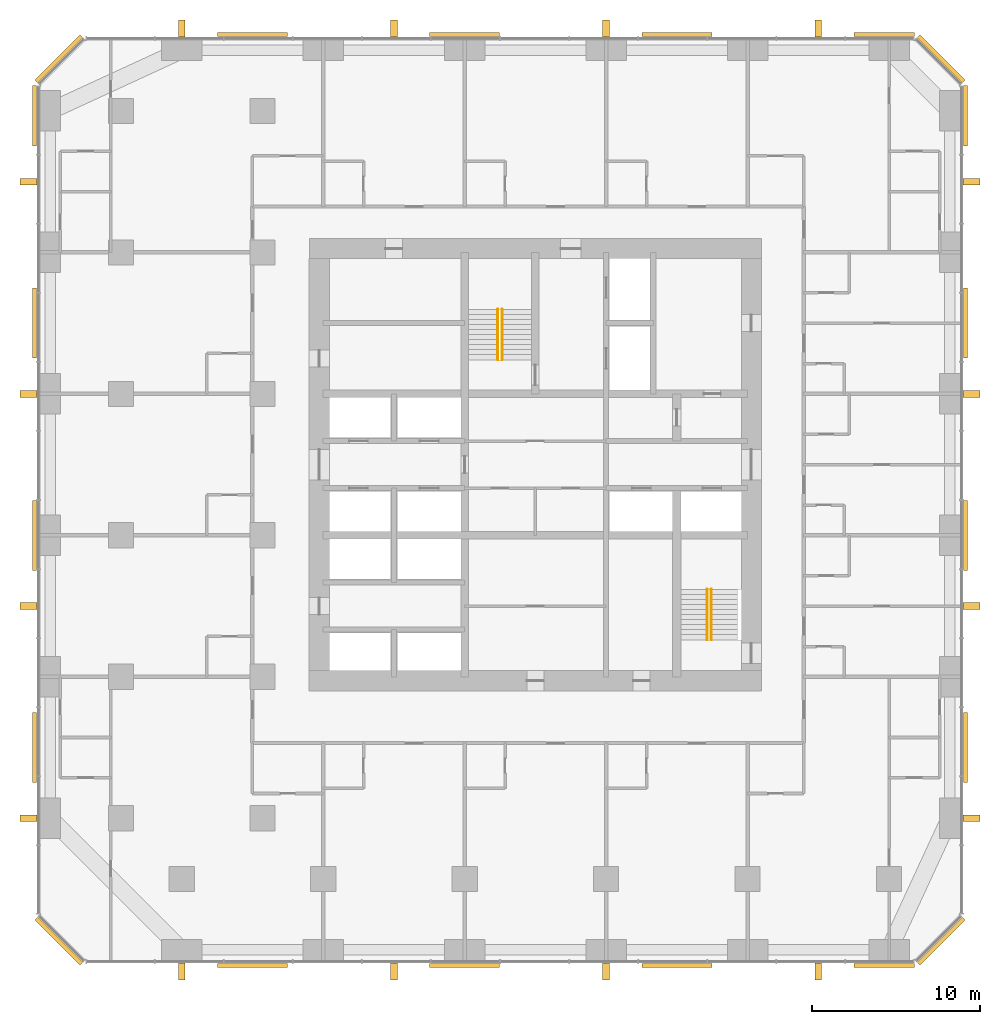
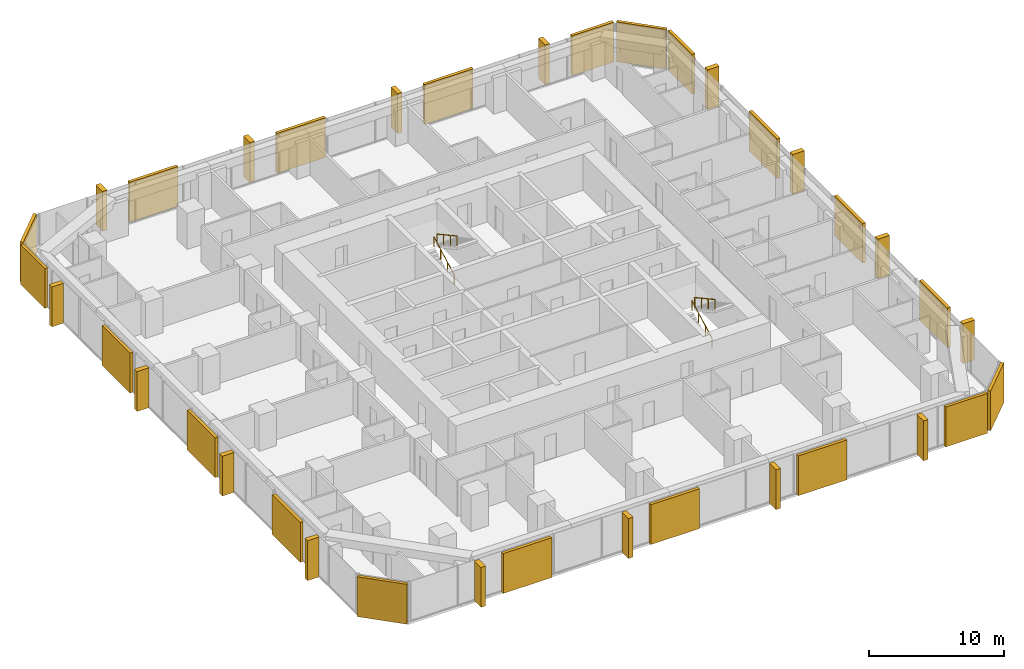
# One storey, part 13 of 13: 20 coverings, 16 shading devices, 4 railings.
"""IFC4 building model written with IfcOpenShell, lengths in metres."""

from ifc_helpers import new_model, si_unit, direction, frame, origin, origin_2d, place, context, subcontext, project, spatial, rectangle, circle, extrude, material, layer, layer_set, type_object, element, save


model = new_model("IFC4")

# Units and contexts
model_context = context("Model", 3, precision=1e-05, world=origin(), true_north=direction((0.0, 1.0)))
body_context = subcontext(model_context, "Body", "Model", "MODEL_VIEW")
ifc_project = project(units=[si_unit("LENGTHUNIT", "METRE"), si_unit("AREAUNIT", "SQUARE_METRE"), si_unit("VOLUMEUNIT", "CUBIC_METRE"), si_unit("PLANEANGLEUNIT", "RADIAN"), si_unit("MASSUNIT", "GRAM", prefix="KILO")], contexts=[model_context])

# Site, building, storey
site_placement = place(None, origin())
site = spatial("IfcSite", under=ifc_project, at=site_placement, CompositionType="ELEMENT")
building_placement = place(site_placement, origin())
building = spatial("IfcBuilding", under=site, at=building_placement, Name="Dunama Terrace Hotel", CompositionType="ELEMENT")
storey_placement = place(building_placement, frame((0.0, 0.0, 115.199951171875)))
storey = spatial("IfcBuildingStorey", under=building, at=storey_placement, Name="L29", CompositionType="ELEMENT", Elevation=115.199951171875)

# Railings
ifc_material_1 = material(Name="Stainless steel handrail", Category="steel")
railing_type = type_object("IfcRailingType", Name="Stair handrail 900", PredefinedType="HANDRAIL", material=ifc_material_1)
railing_1_placement = place(storey_placement, frame((27.175048828125, 35.625, 0.16357421875)))
element("IfcRailing", 1, at=railing_1_placement, inside=storey, type_object=railing_type, Name="Handrail ST1 L29", PredefinedType="HANDRAIL", context=body_context, shape_type="SweptSolid", body=[
    extrude(circle(Radius=0.02392578125, at=origin_2d()), frame((0.0, 0.0, 0.8759765625), z_axis=(0.0, 0.877881921179, 0.478877158013), x_axis=(-1.0, 0.0, 0.0)), (0.0, 0.0, 1.0), 3.417236328125),
    extrude(circle(Radius=0.02099609375, at=origin_2d()), origin(), (0.0, 0.0, 1.0), 0.851806640625),
    extrude(circle(Radius=0.02099609375, at=origin_2d()), frame((0.0, 1.0, 0.54541015625)), (0.0, 0.0, 1.0), 0.851806640625),
    extrude(circle(Radius=0.02099609375, at=origin_2d()), frame((0.0, 2.0, 1.091064453125)), (0.0, 0.0, 1.0), 0.851806640625),
    extrude(circle(Radius=0.02099609375, at=origin_2d()), frame((0.0, 3.0, 1.636474609375)), (0.0, 0.0, 1.0), 0.851806640625),
])
railing_2_placement = place(storey_placement, frame((27.425048828125, 38.625, 1.963623046875)))
element("IfcRailing", 2, at=railing_2_placement, inside=storey, type_object=railing_type, Name="Handrail ST1 L29", PredefinedType="HANDRAIL", context=body_context, shape_type="SweptSolid", body=[
    extrude(circle(Radius=0.02392578125, at=origin_2d()), frame((0.0, 0.0, 0.8759765625), z_axis=(0.0, -0.877881921179, 0.478877158013), x_axis=(1.0, 0.0, 0.0)), (0.0, 0.0, 1.0), 3.417236328125),
    extrude(circle(Radius=0.02099609375, at=origin_2d()), origin(), (0.0, 0.0, 1.0), 0.851806640625),
    extrude(circle(Radius=0.02099609375, at=origin_2d()), frame((0.0, -1.0, 0.54541015625)), (0.0, 0.0, 1.0), 0.851806640625),
    extrude(circle(Radius=0.02099609375, at=origin_2d()), frame((0.0, -2.0, 1.091064453125)), (0.0, 0.0, 1.0), 0.851806640625),
    extrude(circle(Radius=0.02099609375, at=origin_2d()), frame((0.0, -3.0, 1.636474609375)), (0.0, 0.0, 1.0), 0.851806640625),
])
railing_3_placement = place(storey_placement, frame((39.60009765625, 19.0, 0.16357421875)))
element("IfcRailing", 3, at=railing_3_placement, inside=storey, type_object=railing_type, Name="Handrail ST2 L29", PredefinedType="HANDRAIL", context=body_context, shape_type="SweptSolid", body=[
    extrude(circle(Radius=0.02392578125, at=origin_2d()), frame((0.0, 0.0, 0.8759765625), z_axis=(0.0, 0.877881921179, 0.478877158013), x_axis=(-1.0, 0.0, 0.0)), (0.0, 0.0, 1.0), 3.417236328125),
    extrude(circle(Radius=0.02099609375, at=origin_2d()), origin(), (0.0, 0.0, 1.0), 0.851806640625),
    extrude(circle(Radius=0.02099609375, at=origin_2d()), frame((0.0, 1.0, 0.54541015625)), (0.0, 0.0, 1.0), 0.851806640625),
    extrude(circle(Radius=0.02099609375, at=origin_2d()), frame((0.0, 2.0, 1.091064453125)), (0.0, 0.0, 1.0), 0.851806640625),
    extrude(circle(Radius=0.02099609375, at=origin_2d()), frame((0.0, 3.0, 1.636474609375)), (0.0, 0.0, 1.0), 0.851806640625),
])
railing_4_placement = place(storey_placement, frame((39.85009765625, 22.0, 1.963623046875)))
element("IfcRailing", 4, at=railing_4_placement, inside=storey, type_object=railing_type, Name="Handrail ST2 L29", PredefinedType="HANDRAIL", context=body_context, shape_type="SweptSolid", body=[
    extrude(circle(Radius=0.02392578125, at=origin_2d()), frame((0.0, 0.0, 0.8759765625), z_axis=(0.0, -0.877881921179, 0.478877158013), x_axis=(1.0, 0.0, 0.0)), (0.0, 0.0, 1.0), 3.417236328125),
    extrude(circle(Radius=0.02099609375, at=origin_2d()), origin(), (0.0, 0.0, 1.0), 0.851806640625),
    extrude(circle(Radius=0.02099609375, at=origin_2d()), frame((0.0, -1.0, 0.54541015625)), (0.0, 0.0, 1.0), 0.851806640625),
    extrude(circle(Radius=0.02099609375, at=origin_2d()), frame((0.0, -2.0, 1.091064453125)), (0.0, 0.0, 1.0), 0.851806640625),
    extrude(circle(Radius=0.02099609375, at=origin_2d()), frame((0.0, -3.0, 1.636474609375)), (0.0, 0.0, 1.0), 0.851806640625),
])

# Coverings
ifc_material_2 = material(Name="Warm reconstituted stone panel", Category="masonry")
ifc_layer_1 = layer(ifc_material_2, 0.25)
ifc_layer_set_1 = layer_set([ifc_layer_1], Name="Stone diagonal panel")
covering_type = type_object("IfcCoveringType", Name="Stone diagonal panel", PredefinedType="CLADDING", material=ifc_layer_set_1)
for number, where, z_axis, x_axis, name in (
    (5, (12.60009765625, -0.343017578125, 0.001953125), (0.0, 0.0, 1.0), (1.0, 0.0, 0.0), "Stone diagonal panel L29"),
    (6, (25.199951171875, -0.343017578125, 0.001953125), (0.0, 0.0, 1.0), (1.0, 0.0, 0.0), "Stone diagonal panel L29"),
    (7, (37.800048828125, -0.343017578125, 0.001953125), (0.0, 0.0, 1.0), (1.0, 0.0, 0.0), "Stone diagonal panel L29"),
):
    element("IfcCovering", number, at=place(storey_placement, frame(where, z_axis=z_axis, x_axis=x_axis)), inside=storey, type_object=covering_type, Name=name, PredefinedType="CLADDING", context=body_context, shape_type="SweptSolid", body=[
        extrude(rectangle(XDim=4.14990234375, YDim=0.25, at=origin_2d()), origin(), (0.0, 0.0, 1.0), 3.595947265625),
    ])
covering_1_placement = place(storey_placement, frame((50.110107421875, -0.343017578125, 0.001953125), z_axis=(0.0, 0.0, 1.0), x_axis=(1.0, 0.0, 0.0)))
element("IfcCovering", 8, at=covering_1_placement, inside=storey, type_object=covering_type, Name="Stone diagonal panel L29", PredefinedType="CLADDING", context=body_context, shape_type="SweptSolid", body=[
    extrude(rectangle(XDim=3.570068359375, YDim=0.25, at=origin_2d()), origin(), (0.0, 0.0, 1.0), 3.595947265625),
])
covering_2_placement = place(storey_placement, frame((53.492919921875, 1.10693359375, 0.001953125), z_axis=(0.0, 0.0, 1.0), x_axis=(0.707106781187, 0.707106781187, 0.0)))
element("IfcCovering", 9, at=covering_2_placement, inside=storey, type_object=covering_type, Name="Stone diagonal panel L29", PredefinedType="CLADDING", context=body_context, shape_type="SweptSolid", body=[
    extrude(rectangle(XDim=3.808349609375, YDim=0.25, at=origin_2d()), origin(), (0.0, 0.0, 1.0), 3.595947265625),
])
for number, where, z_axis, x_axis, name in (
    (10, (54.943115234375, 12.60009765625, 0.001953125), (0.0, 0.0, 1.0), (0.0, 1.0, 0.0), "Stone diagonal panel L29"),
    (11, (54.943115234375, 25.199951171875, 0.001953125), (0.0, 0.0, 1.0), (0.0, 1.0, 0.0), "Stone diagonal panel L29"),
    (12, (54.943115234375, 37.800048828125, 0.001953125), (0.0, 0.0, 1.0), (0.0, 1.0, 0.0), "Stone diagonal panel L29"),
):
    element("IfcCovering", number, at=place(storey_placement, frame(where, z_axis=z_axis, x_axis=x_axis)), inside=storey, type_object=covering_type, Name=name, PredefinedType="CLADDING", context=body_context, shape_type="SweptSolid", body=[
        extrude(rectangle(XDim=4.14990234375, YDim=0.25, at=origin_2d()), origin(), (0.0, 0.0, 1.0), 3.595947265625),
    ])
covering_3_placement = place(storey_placement, frame((54.943115234375, 50.110107421875, 0.001953125), z_axis=(0.0, 0.0, 1.0), x_axis=(0.0, 1.0, 0.0)))
element("IfcCovering", 13, at=covering_3_placement, inside=storey, type_object=covering_type, Name="Stone diagonal panel L29", PredefinedType="CLADDING", context=body_context, shape_type="SweptSolid", body=[
    extrude(rectangle(XDim=3.570068359375, YDim=0.25, at=origin_2d()), origin(), (0.0, 0.0, 1.0), 3.595947265625),
])
covering_4_placement = place(storey_placement, frame((53.492919921875, 53.492919921875, 0.001953125), z_axis=(0.0, 0.0, 1.0), x_axis=(-0.707106781187, 0.707106781187, 0.0)))
element("IfcCovering", 14, at=covering_4_placement, inside=storey, type_object=covering_type, Name="Stone diagonal panel L29", PredefinedType="CLADDING", context=body_context, shape_type="SweptSolid", body=[
    extrude(rectangle(XDim=3.808349609375, YDim=0.25, at=origin_2d()), origin(), (0.0, 0.0, 1.0), 3.595947265625),
])
covering_5_placement = place(storey_placement, frame((50.110107421875, 54.943115234375, 0.001953125), z_axis=(0.0, 0.0, 1.0), x_axis=(-1.0, 0.0, 0.0)))
element("IfcCovering", 15, at=covering_5_placement, inside=storey, type_object=covering_type, Name="Stone diagonal panel L29", PredefinedType="CLADDING", context=body_context, shape_type="SweptSolid", body=[
    extrude(rectangle(XDim=3.570068359375, YDim=0.25, at=origin_2d()), origin(), (0.0, 0.0, 1.0), 3.595947265625),
])
for number, where, z_axis, x_axis, name in (
    (16, (37.800048828125, 54.943115234375, 0.001953125), (0.0, 0.0, 1.0), (-1.0, 0.0, 0.0), "Stone diagonal panel L29"),
    (17, (25.199951171875, 54.943115234375, 0.001953125), (0.0, 0.0, 1.0), (-1.0, 0.0, 0.0), "Stone diagonal panel L29"),
    (18, (12.60009765625, 54.943115234375, 0.001953125), (0.0, 0.0, 1.0), (-1.0, 0.0, 0.0), "Stone diagonal panel L29"),
):
    element("IfcCovering", number, at=place(storey_placement, frame(where, z_axis=z_axis, x_axis=x_axis)), inside=storey, type_object=covering_type, Name=name, PredefinedType="CLADDING", context=body_context, shape_type="SweptSolid", body=[
        extrude(rectangle(XDim=4.14990234375, YDim=0.25, at=origin_2d()), origin(), (0.0, 0.0, 1.0), 3.595947265625),
    ])
covering_6_placement = place(storey_placement, frame((1.10693359375, 53.492919921875, 0.001953125), z_axis=(0.0, 0.0, 1.0), x_axis=(-0.707106781187, -0.707106781187, 0.0)))
element("IfcCovering", 19, at=covering_6_placement, inside=storey, type_object=covering_type, Name="Stone diagonal panel L29", PredefinedType="CLADDING", context=body_context, shape_type="SweptSolid", body=[
    extrude(rectangle(XDim=3.808349609375, YDim=0.25, at=origin_2d()), origin(), (0.0, 0.0, 1.0), 3.595947265625),
])
covering_7_placement = place(storey_placement, frame((-0.343017578125, 50.110107421875, 0.001953125), z_axis=(0.0, 0.0, 1.0), x_axis=(0.0, -1.0, 0.0)))
element("IfcCovering", 20, at=covering_7_placement, inside=storey, type_object=covering_type, Name="Stone diagonal panel L29", PredefinedType="CLADDING", context=body_context, shape_type="SweptSolid", body=[
    extrude(rectangle(XDim=3.570068359375, YDim=0.25, at=origin_2d()), origin(), (0.0, 0.0, 1.0), 3.595947265625),
])
for number, where, z_axis, x_axis, name in (
    (21, (-0.343017578125, 37.800048828125, 0.001953125), (0.0, 0.0, 1.0), (0.0, -1.0, 0.0), "Stone diagonal panel L29"),
    (22, (-0.343017578125, 25.199951171875, 0.001953125), (0.0, 0.0, 1.0), (0.0, -1.0, 0.0), "Stone diagonal panel L29"),
    (23, (-0.343017578125, 12.60009765625, 0.001953125), (0.0, 0.0, 1.0), (0.0, -1.0, 0.0), "Stone diagonal panel L29"),
):
    element("IfcCovering", number, at=place(storey_placement, frame(where, z_axis=z_axis, x_axis=x_axis)), inside=storey, type_object=covering_type, Name=name, PredefinedType="CLADDING", context=body_context, shape_type="SweptSolid", body=[
        extrude(rectangle(XDim=4.14990234375, YDim=0.25, at=origin_2d()), origin(), (0.0, 0.0, 1.0), 3.595947265625),
    ])
covering_8_placement = place(storey_placement, frame((1.10693359375, 1.10693359375, 0.001953125), z_axis=(0.0, 0.0, 1.0), x_axis=(0.707106781187, -0.707106781187, 0.0)))
element("IfcCovering", 24, at=covering_8_placement, inside=storey, type_object=covering_type, Name="Stone diagonal panel L29", PredefinedType="CLADDING", context=body_context, shape_type="SweptSolid", body=[
    extrude(rectangle(XDim=3.808349609375, YDim=0.25, at=origin_2d()), origin(), (0.0, 0.0, 1.0), 3.595947265625),
])

# Shading devices
ifc_material_3 = material(Name="Warm reconstituted stone fin", Category="masonry")
ifc_layer_2 = layer(ifc_material_3, 0.39990234375)
ifc_layer_set_2 = layer_set([ifc_layer_2], Name="Warm stone fin 400x1000")
shading_device_type = type_object("IfcShadingDeviceType", Name="Warm stone fin 400x1000", PredefinedType="USERDEFINED", material=ifc_layer_set_2)
for number, where, z_axis, x_axis, name in (
    (25, (8.39990234375, -0.697998046875, 0.0), (0.0, 0.0, 1.0), (1.0, 0.0, 0.0), "Stone fin"),
    (26, (21.0, -0.697998046875, 0.0), (0.0, 0.0, 1.0), (1.0, 0.0, 0.0), "Stone fin"),
    (27, (33.60009765625, -0.697998046875, 0.0), (0.0, 0.0, 1.0), (1.0, 0.0, 0.0), "Stone fin"),
    (28, (46.199951171875, -0.697998046875, 0.0), (0.0, 0.0, 1.0), (1.0, 0.0, 0.0), "Stone fin"),
    (29, (55.298095703125, 8.39990234375, 0.0), (0.0, 0.0, 1.0), (0.0, 1.0, 0.0), "Stone fin"),
    (30, (55.298095703125, 21.0, 0.0), (0.0, 0.0, 1.0), (0.0, 1.0, 0.0), "Stone fin"),
    (31, (55.298095703125, 33.60009765625, 0.0), (0.0, 0.0, 1.0), (0.0, 1.0, 0.0), "Stone fin"),
    (32, (55.298095703125, 46.199951171875, 0.0), (0.0, 0.0, 1.0), (0.0, 1.0, 0.0), "Stone fin"),
    (33, (46.199951171875, 55.298095703125, 0.0), (0.0, 0.0, 1.0), (-1.0, 0.0, 0.0), "Stone fin"),
    (34, (33.60009765625, 55.298095703125, 0.0), (0.0, 0.0, 1.0), (-1.0, 0.0, 0.0), "Stone fin"),
    (35, (21.0, 55.298095703125, 0.0), (0.0, 0.0, 1.0), (-1.0, 0.0, 0.0), "Stone fin"),
    (36, (8.39990234375, 55.298095703125, 0.0), (0.0, 0.0, 1.0), (-1.0, 0.0, 0.0), "Stone fin"),
    (37, (-0.697998046875, 46.199951171875, 0.0), (0.0, 0.0, 1.0), (0.0, -1.0, 0.0), "Stone fin"),
    (38, (-0.697998046875, 33.60009765625, 0.0), (0.0, 0.0, 1.0), (0.0, -1.0, 0.0), "Stone fin"),
    (39, (-0.697998046875, 21.0, 0.0), (0.0, 0.0, 1.0), (0.0, -1.0, 0.0), "Stone fin"),
    (40, (-0.697998046875, 8.39990234375, 0.0), (0.0, 0.0, 1.0), (0.0, -1.0, 0.0), "Stone fin"),
):
    element("IfcShadingDevice", number, at=place(storey_placement, frame(where, z_axis=z_axis, x_axis=x_axis)), inside=storey, type_object=shading_device_type, Name=name, ObjectType="FIN", PredefinedType="USERDEFINED", context=body_context, shape_type="SweptSolid", body=[
        extrude(rectangle(XDim=0.39990234375, YDim=1.0, at=origin_2d()), origin(), (0.0, 0.0, 1.0), 3.60009765625),
    ])

save(model, "model.ifc")
